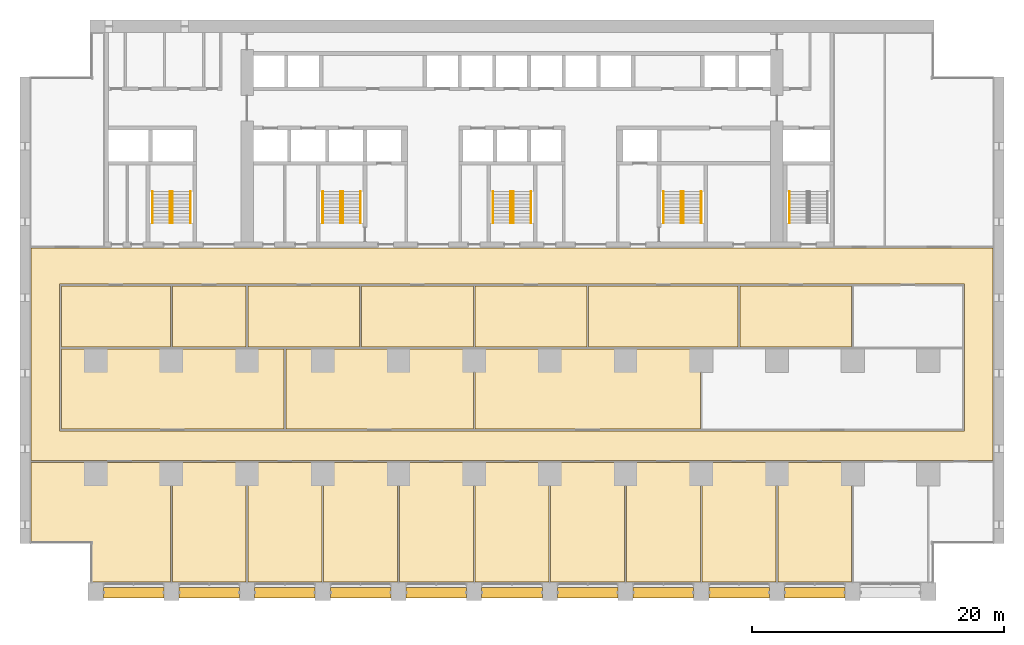
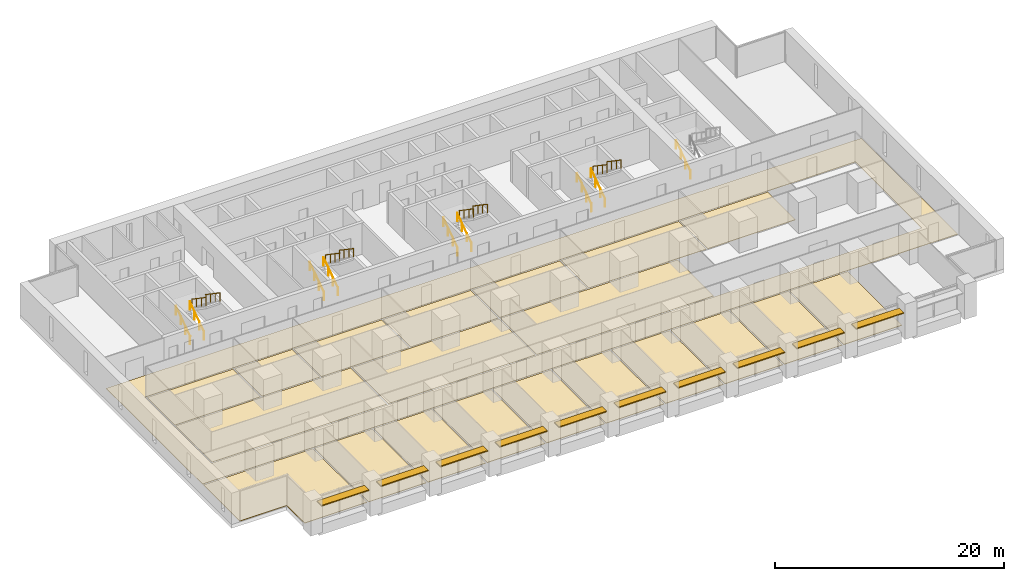
# One storey, part 17 of 18: 21 coverings, 17 railings, 10 shading devices, 5 elements without a shape of their own.
"""IFC4 building model written with IfcOpenShell, lengths in metres."""

from ifc_helpers import new_model, si_unit, direction, frame, origin, origin_2d, place, context, subcontext, project, spatial, polyline, rectangle, circle, outline, extrude, material, layer, layer_set, material_profile, profile_set, type_object, element, aggregate, save


model = new_model("IFC4")

# Units and contexts
model_context = context("Model", 3, precision=1e-05, world=origin(), true_north=direction((0.0, 1.0)))
body_context = subcontext(model_context, "Body", "Model", "MODEL_VIEW")
ifc_project = project(units=[si_unit("LENGTHUNIT", "METRE"), si_unit("AREAUNIT", "SQUARE_METRE"), si_unit("VOLUMEUNIT", "CUBIC_METRE"), si_unit("PLANEANGLEUNIT", "RADIAN"), si_unit("MASSUNIT", "GRAM", prefix="KILO")], contexts=[model_context])

# Site, building, storey
site_placement = place(None, origin())
site = spatial("IfcSite", under=ifc_project, at=site_placement, CompositionType="ELEMENT")
building_placement = place(site_placement, origin())
building = spatial("IfcBuilding", under=site, at=building_placement, Name="Calvaro Tower", CompositionType="ELEMENT")
storey_placement = place(building_placement, frame((0.0, 0.0, 26.25)))
storey = spatial("IfcBuildingStorey", under=building, at=storey_placement, Name="L05", CompositionType="ELEMENT", Elevation=26.25)

# Shading devices
ifc_material_1 = material(Name="Anodised aluminium", Category="aluminium")
ifc_material_profile = material_profile(ifc_material_1, rectangle(XDim=0.800048828125, YDim=0.10009765625, at=origin_2d()), Name="Brise-soleil blade 800 x 100")
ifc_profile_set = profile_set([ifc_material_profile], Name="Anodised aluminium")
shading_device_type = type_object("IfcShadingDeviceType", Name="Brise-soleil blade 800 x 100", PredefinedType="JALOUSIE", material=ifc_profile_set)
for number, where, z_axis, x_axis, name in (
    (1, (6.60009765625, 0.60009765625, 2.300048828125), (1.0, 0.0, 0.0), (0.0, 1.0, 0.0), "Brise-soleil blade 1"),
    (2, (12.60009765625, 0.60009765625, 2.300048828125), (1.0, 0.0, 0.0), (0.0, 1.0, 0.0), "Brise-soleil blade 2"),
    (3, (18.60009765625, 0.60009765625, 2.300048828125), (1.0, 0.0, 0.0), (0.0, 1.0, 0.0), "Brise-soleil blade 3"),
    (4, (24.60009765625, 0.60009765625, 2.300048828125), (1.0, 0.0, 0.0), (0.0, 1.0, 0.0), "Brise-soleil blade 4"),
    (5, (30.60009765625, 0.60009765625, 2.300048828125), (1.0, 0.0, 0.0), (0.0, 1.0, 0.0), "Brise-soleil blade 5"),
    (6, (36.60009765625, 0.60009765625, 2.300048828125), (1.0, 0.0, 0.0), (0.0, 1.0, 0.0), "Brise-soleil blade 6"),
    (7, (42.60009765625, 0.60009765625, 2.300048828125), (1.0, 0.0, 0.0), (0.0, 1.0, 0.0), "Brise-soleil blade 7"),
    (8, (48.60009765625, 0.60009765625, 2.300048828125), (1.0, 0.0, 0.0), (0.0, 1.0, 0.0), "Brise-soleil blade 8"),
    (9, (54.60009765625, 0.60009765625, 2.300048828125), (1.0, 0.0, 0.0), (0.0, 1.0, 0.0), "Brise-soleil blade 9"),
    (10, (60.60009765625, 0.60009765625, 2.300048828125), (1.0, 0.0, 0.0), (0.0, 1.0, 0.0), "Brise-soleil blade 10"),
):
    element("IfcShadingDevice", number, at=place(storey_placement, frame(where, z_axis=z_axis, x_axis=x_axis)), inside=storey, type_object=shading_device_type, Name=name, PredefinedType="JALOUSIE", context=body_context, shape_type="SweptSolid", body=[
        extrude(rectangle(XDim=0.800048828125, YDim=0.10009765625, at=origin_2d()), origin(), (0.0, 0.0, 1.0), 4.7998046875),
    ])

# Coverings
ifc_material_2 = material(Name="Cement screed with carpet tile finish")
ifc_layer = layer(ifc_material_2, 0.050048828125)
ifc_layer_set = layer_set([ifc_layer], Name="Cement screed with carpet tile finish")
covering_type = type_object("IfcCoveringType", Name="Floor finish 50", PredefinedType="FLOORING", material=ifc_layer_set)
covering_1_placement = place(storey_placement, origin())
element("IfcCovering", 11, at=covering_1_placement, inside=storey, type_object=covering_type, Name="Floor finish 07.01", PredefinedType="FLOORING", context=body_context, shape_type="SweptSolid", body=[
    extrude(outline(polyline([(0.8701171875, 11.070068359375), (0.8701171875, 27.929931640625), (77.1298828125, 27.929931640625), (77.1298828125, 11.070068359375), (0.8701171875, 11.070068359375)]), holes=[polyline([(74.8701171875, 13.429931640625), (74.8701171875, 25.070068359375), (3.1298828125, 25.070068359375), (3.1298828125, 13.429931640625), (74.8701171875, 13.429931640625)])]), origin(), (0.0, 0.0, 1.0), 0.050048828125),
])
covering_2_placement = place(storey_placement, origin())
element("IfcCovering", 12, at=covering_2_placement, inside=storey, type_object=covering_type, Name="Floor finish 07.12", PredefinedType="FLOORING", context=body_context, shape_type="SweptSolid", body=[
    extrude(outline(polyline([(11.929931640625, 10.929931640625), (11.929931640625, 1.469970703125), (5.6201171875, 1.469970703125), (5.6201171875, 4.570068359375), (0.8701171875, 4.570068359375), (0.8701171875, 10.929931640625), (11.929931640625, 10.929931640625)])), origin(), (0.0, 0.0, 1.0), 0.050048828125),
])
covering_3_placement = place(storey_placement, origin())
element("IfcCovering", 13, at=covering_3_placement, inside=storey, type_object=covering_type, Name="Floor finish 07.02", PredefinedType="FLOORING", context=body_context, shape_type="SweptSolid", body=[
    extrude(outline(polyline([(12.070068359375, 10.929931640625), (17.929931640625, 10.929931640625), (17.929931640625, 1.469970703125), (12.070068359375, 1.469970703125), (12.070068359375, 10.929931640625)])), origin(), (0.0, 0.0, 1.0), 0.050048828125),
])
covering_4_placement = place(storey_placement, origin())
element("IfcCovering", 14, at=covering_4_placement, inside=storey, type_object=covering_type, Name="Floor finish 07.03", PredefinedType="FLOORING", context=body_context, shape_type="SweptSolid", body=[
    extrude(outline(polyline([(18.070068359375, 10.929931640625), (23.929931640625, 10.929931640625), (23.929931640625, 1.469970703125), (18.070068359375, 1.469970703125), (18.070068359375, 10.929931640625)])), origin(), (0.0, 0.0, 1.0), 0.050048828125),
])
covering_5_placement = place(storey_placement, origin())
element("IfcCovering", 15, at=covering_5_placement, inside=storey, type_object=covering_type, Name="Floor finish 07.04", PredefinedType="FLOORING", context=body_context, shape_type="SweptSolid", body=[
    extrude(outline(polyline([(24.070068359375, 10.929931640625), (29.929931640625, 10.929931640625), (29.929931640625, 1.469970703125), (24.070068359375, 1.469970703125), (24.070068359375, 10.929931640625)])), origin(), (0.0, 0.0, 1.0), 0.050048828125),
])
covering_6_placement = place(storey_placement, origin())
element("IfcCovering", 16, at=covering_6_placement, inside=storey, type_object=covering_type, Name="Floor finish 07.05", PredefinedType="FLOORING", context=body_context, shape_type="SweptSolid", body=[
    extrude(outline(polyline([(30.070068359375, 10.929931640625), (35.929931640625, 10.929931640625), (35.929931640625, 1.469970703125), (30.070068359375, 1.469970703125), (30.070068359375, 10.929931640625)])), origin(), (0.0, 0.0, 1.0), 0.050048828125),
])
covering_7_placement = place(storey_placement, origin())
element("IfcCovering", 17, at=covering_7_placement, inside=storey, type_object=covering_type, Name="Floor finish 07.06", PredefinedType="FLOORING", context=body_context, shape_type="SweptSolid", body=[
    extrude(outline(polyline([(36.070068359375, 10.929931640625), (41.929931640625, 10.929931640625), (41.929931640625, 1.469970703125), (36.070068359375, 1.469970703125), (36.070068359375, 10.929931640625)])), origin(), (0.0, 0.0, 1.0), 0.050048828125),
])
covering_8_placement = place(storey_placement, origin())
element("IfcCovering", 18, at=covering_8_placement, inside=storey, type_object=covering_type, Name="Floor finish 07.07", PredefinedType="FLOORING", context=body_context, shape_type="SweptSolid", body=[
    extrude(outline(polyline([(42.070068359375, 10.929931640625), (47.929931640625, 10.929931640625), (47.929931640625, 1.469970703125), (42.070068359375, 1.469970703125), (42.070068359375, 10.929931640625)])), origin(), (0.0, 0.0, 1.0), 0.050048828125),
])
covering_9_placement = place(storey_placement, origin())
element("IfcCovering", 19, at=covering_9_placement, inside=storey, type_object=covering_type, Name="Floor finish 07.08", PredefinedType="FLOORING", context=body_context, shape_type="SweptSolid", body=[
    extrude(outline(polyline([(48.070068359375, 10.929931640625), (53.929931640625, 10.929931640625), (53.929931640625, 1.469970703125), (48.070068359375, 1.469970703125), (48.070068359375, 10.929931640625)])), origin(), (0.0, 0.0, 1.0), 0.050048828125),
])
covering_10_placement = place(storey_placement, origin())
element("IfcCovering", 20, at=covering_10_placement, inside=storey, type_object=covering_type, Name="Floor finish 07.09", PredefinedType="FLOORING", context=body_context, shape_type="SweptSolid", body=[
    extrude(outline(polyline([(54.070068359375, 10.929931640625), (59.929931640625, 10.929931640625), (59.929931640625, 1.469970703125), (54.070068359375, 1.469970703125), (54.070068359375, 10.929931640625)])), origin(), (0.0, 0.0, 1.0), 0.050048828125),
])
covering_11_placement = place(storey_placement, origin())
element("IfcCovering", 21, at=covering_11_placement, inside=storey, type_object=covering_type, Name="Floor finish 07.10", PredefinedType="FLOORING", context=body_context, shape_type="SweptSolid", body=[
    extrude(outline(polyline([(60.070068359375, 10.929931640625), (65.929931640625, 10.929931640625), (65.929931640625, 1.469970703125), (60.070068359375, 1.469970703125), (60.070068359375, 10.929931640625)])), origin(), (0.0, 0.0, 1.0), 0.050048828125),
])
covering_12_placement = place(storey_placement, origin())
element("IfcCovering", 22, at=covering_12_placement, inside=storey, type_object=covering_type, Name="Floor finish 07.14", PredefinedType="FLOORING", context=body_context, shape_type="SweptSolid", body=[
    extrude(outline(polyline([(3.27001953125, 13.570068359375), (3.27001953125, 19.929931640625), (20.929931640625, 19.929931640625), (20.929931640625, 13.570068359375), (3.27001953125, 13.570068359375)])), origin(), (0.0, 0.0, 1.0), 0.050048828125),
])
covering_13_placement = place(storey_placement, origin())
element("IfcCovering", 23, at=covering_13_placement, inside=storey, type_object=covering_type, Name="Floor finish 07.15", PredefinedType="FLOORING", context=body_context, shape_type="SweptSolid", body=[
    extrude(outline(polyline([(21.070068359375, 13.570068359375), (21.070068359375, 19.929931640625), (35.929931640625, 19.929931640625), (35.929931640625, 13.570068359375), (21.070068359375, 13.570068359375)])), origin(), (0.0, 0.0, 1.0), 0.050048828125),
])
covering_14_placement = place(storey_placement, origin())
element("IfcCovering", 24, at=covering_14_placement, inside=storey, type_object=covering_type, Name="Floor finish 07.16", PredefinedType="FLOORING", context=body_context, shape_type="SweptSolid", body=[
    extrude(outline(polyline([(36.070068359375, 13.570068359375), (36.070068359375, 19.929931640625), (53.929931640625, 19.929931640625), (53.929931640625, 13.570068359375), (36.070068359375, 13.570068359375)])), origin(), (0.0, 0.0, 1.0), 0.050048828125),
])
covering_15_placement = place(storey_placement, origin())
element("IfcCovering", 25, at=covering_15_placement, inside=storey, type_object=covering_type, Name="Floor finish 07.18", PredefinedType="FLOORING", context=body_context, shape_type="SweptSolid", body=[
    extrude(outline(polyline([(3.27001953125, 20.070068359375), (3.27001953125, 24.929931640625), (11.929931640625, 24.929931640625), (11.929931640625, 20.070068359375), (3.27001953125, 20.070068359375)])), origin(), (0.0, 0.0, 1.0), 0.050048828125),
])
covering_16_placement = place(storey_placement, origin())
element("IfcCovering", 26, at=covering_16_placement, inside=storey, type_object=covering_type, Name="Floor finish 07.19", PredefinedType="FLOORING", context=body_context, shape_type="SweptSolid", body=[
    extrude(outline(polyline([(12.070068359375, 20.070068359375), (12.070068359375, 24.929931640625), (17.929931640625, 24.929931640625), (17.929931640625, 20.070068359375), (12.070068359375, 20.070068359375)])), origin(), (0.0, 0.0, 1.0), 0.050048828125),
])
covering_17_placement = place(storey_placement, origin())
element("IfcCovering", 27, at=covering_17_placement, inside=storey, type_object=covering_type, Name="Floor finish 07.20", PredefinedType="FLOORING", context=body_context, shape_type="SweptSolid", body=[
    extrude(outline(polyline([(18.070068359375, 20.070068359375), (18.070068359375, 24.929931640625), (26.929931640625, 24.929931640625), (26.929931640625, 20.070068359375), (18.070068359375, 20.070068359375)])), origin(), (0.0, 0.0, 1.0), 0.050048828125),
])
covering_18_placement = place(storey_placement, origin())
element("IfcCovering", 28, at=covering_18_placement, inside=storey, type_object=covering_type, Name="Floor finish 07.21", PredefinedType="FLOORING", context=body_context, shape_type="SweptSolid", body=[
    extrude(outline(polyline([(27.070068359375, 20.070068359375), (27.070068359375, 24.929931640625), (35.929931640625, 24.929931640625), (35.929931640625, 20.070068359375), (27.070068359375, 20.070068359375)])), origin(), (0.0, 0.0, 1.0), 0.050048828125),
])
covering_19_placement = place(storey_placement, origin())
element("IfcCovering", 29, at=covering_19_placement, inside=storey, type_object=covering_type, Name="Floor finish 07.22", PredefinedType="FLOORING", context=body_context, shape_type="SweptSolid", body=[
    extrude(outline(polyline([(36.070068359375, 20.070068359375), (36.070068359375, 24.929931640625), (44.929931640625, 24.929931640625), (44.929931640625, 20.070068359375), (36.070068359375, 20.070068359375)])), origin(), (0.0, 0.0, 1.0), 0.050048828125),
])
covering_20_placement = place(storey_placement, origin())
element("IfcCovering", 30, at=covering_20_placement, inside=storey, type_object=covering_type, Name="Floor finish 07.23", PredefinedType="FLOORING", context=body_context, shape_type="SweptSolid", body=[
    extrude(outline(polyline([(45.070068359375, 20.070068359375), (45.070068359375, 24.929931640625), (56.929931640625, 24.929931640625), (56.929931640625, 20.070068359375), (45.070068359375, 20.070068359375)])), origin(), (0.0, 0.0, 1.0), 0.050048828125),
])
covering_21_placement = place(storey_placement, origin())
element("IfcCovering", 31, at=covering_21_placement, inside=storey, type_object=covering_type, Name="Floor finish 07.24", PredefinedType="FLOORING", context=body_context, shape_type="SweptSolid", body=[
    extrude(outline(polyline([(57.070068359375, 20.070068359375), (57.070068359375, 24.929931640625), (65.929931640625, 24.929931640625), (65.929931640625, 20.070068359375), (57.070068359375, 20.070068359375)])), origin(), (0.0, 0.0, 1.0), 0.050048828125),
])

# Stair, railings
ifc_material_3 = material(Name="Concrete C40/50", Category="concrete")
stair_type = type_object("IfcStairType", Name="Exit stair 1400 2 flights", PredefinedType="HALF_TURN_STAIR", material=ifc_material_3)
stair_1_placement = place(storey_placement, origin())
stair_1 = element("IfcStair", 32, at=stair_1_placement, inside=storey, type_object=stair_type, Name="Exit stair S1", PredefinedType="HALF_TURN_STAIR")
ifc_material_4 = material(Name="Stainless steel", Category="steel")
railing_type = type_object("IfcRailingType", Name="Stair handrail", PredefinedType="HANDRAIL", material=ifc_material_4)
railing_1_placement = place(storey_placement, frame((11.89990234375, 29.89990234375, 0.17041015625)))
railing_1 = element("IfcRailing", 33, at=railing_1_placement, type_object=railing_type, Name="Exit stair 1 handrail", PredefinedType="HANDRAIL", context=body_context, shape_type="SweptSolid", body=[
    extrude(circle(Radius=0.02392578125, at=origin_2d()), frame((0.0, 0.0, 0.8759765625), z_axis=(0.0, 0.826220514629, 0.563346839174), x_axis=(-1.0, 0.0, 0.0)), (0.0, 0.0, 1.0), 3.02587890625),
    extrude(circle(Radius=0.02099609375, at=origin_2d()), frame((0.0, 0.017333984375, 0.01171875)), (0.0, 0.0, 1.0), 0.851806640625),
    extrude(circle(Radius=0.02099609375, at=origin_2d()), frame((0.0, 0.833251953125, 0.568115234375)), (0.0, 0.0, 1.0), 0.851806640625),
    extrude(circle(Radius=0.02099609375, at=origin_2d()), frame((0.0, 1.666748046875, 1.136474609375)), (0.0, 0.0, 1.0), 0.851806640625),
    extrude(circle(Radius=0.02099609375, at=origin_2d()), frame((0.0, 2.482666015625, 1.69287109375)), (0.0, 0.0, 1.0), 0.851806640625),
])
railing_2_placement = place(storey_placement, frame((10.5, 29.89990234375, 0.17041015625)))
railing_2 = element("IfcRailing", 34, at=railing_2_placement, type_object=railing_type, Name="Exit stair 1 handrail", PredefinedType="HANDRAIL", context=body_context, shape_type="SweptSolid", body=[
    extrude(circle(Radius=0.02392578125, at=origin_2d()), frame((0.0, 0.0, 0.8759765625), z_axis=(0.0, 0.826220514629, 0.563346839174), x_axis=(-1.0, 0.0, 0.0)), (0.0, 0.0, 1.0), 3.02587890625),
    extrude(circle(Radius=0.02099609375, at=origin_2d()), frame((0.0, 0.017333984375, 0.01171875)), (0.0, 0.0, 1.0), 0.851806640625),
    extrude(circle(Radius=0.02099609375, at=origin_2d()), frame((0.0, 0.833251953125, 0.568115234375)), (0.0, 0.0, 1.0), 0.851806640625),
    extrude(circle(Radius=0.02099609375, at=origin_2d()), frame((0.0, 1.666748046875, 1.136474609375)), (0.0, 0.0, 1.0), 0.851806640625),
    extrude(circle(Radius=0.02099609375, at=origin_2d()), frame((0.0, 2.482666015625, 1.69287109375)), (0.0, 0.0, 1.0), 0.851806640625),
])
railing_3_placement = place(storey_placement, frame((12.10009765625, 32.39990234375, 2.04541015625)))
railing_3 = element("IfcRailing", 35, at=railing_3_placement, type_object=railing_type, Name="Exit stair 1 handrail", PredefinedType="HANDRAIL", context=body_context, shape_type="SweptSolid", body=[
    extrude(circle(Radius=0.02392578125, at=origin_2d()), frame((0.0, 0.0, 0.8759765625), z_axis=(0.0, -0.826220514629, 0.563346839174), x_axis=(1.0, 0.0, 0.0)), (0.0, 0.0, 1.0), 3.02587890625),
    extrude(circle(Radius=0.02099609375, at=origin_2d()), frame((0.0, -0.017333984375, 0.01171875)), (0.0, 0.0, 1.0), 0.851806640625),
    extrude(circle(Radius=0.02099609375, at=origin_2d()), frame((0.0, -0.833251953125, 0.568115234375)), (0.0, 0.0, 1.0), 0.851806640625),
    extrude(circle(Radius=0.02099609375, at=origin_2d()), frame((0.0, -1.666748046875, 1.136474609375)), (0.0, 0.0, 1.0), 0.851806640625),
    extrude(circle(Radius=0.02099609375, at=origin_2d()), frame((0.0, -2.482666015625, 1.69287109375)), (0.0, 0.0, 1.0), 0.851806640625),
])
railing_4_placement = place(storey_placement, frame((13.5, 32.39990234375, 2.04541015625)))
railing_4 = element("IfcRailing", 36, at=railing_4_placement, type_object=railing_type, Name="Exit stair 1 handrail", PredefinedType="HANDRAIL", context=body_context, shape_type="SweptSolid", body=[
    extrude(circle(Radius=0.02392578125, at=origin_2d()), frame((0.0, 0.0, 0.8759765625), z_axis=(0.0, -0.826220514629, 0.563346839174), x_axis=(1.0, 0.0, 0.0)), (0.0, 0.0, 1.0), 3.02587890625),
    extrude(circle(Radius=0.02099609375, at=origin_2d()), frame((0.0, -0.017333984375, 0.01171875)), (0.0, 0.0, 1.0), 0.851806640625),
    extrude(circle(Radius=0.02099609375, at=origin_2d()), frame((0.0, -0.833251953125, 0.568115234375)), (0.0, 0.0, 1.0), 0.851806640625),
    extrude(circle(Radius=0.02099609375, at=origin_2d()), frame((0.0, -1.666748046875, 1.136474609375)), (0.0, 0.0, 1.0), 0.851806640625),
    extrude(circle(Radius=0.02099609375, at=origin_2d()), frame((0.0, -2.482666015625, 1.69287109375)), (0.0, 0.0, 1.0), 0.851806640625),
])
aggregate(stair_1, [railing_1, railing_2, railing_3, railing_4])

stair_2_placement = place(storey_placement, origin())
stair_2 = element("IfcStair", 37, at=stair_2_placement, inside=storey, type_object=stair_type, Name="Exit stair S2", PredefinedType="HALF_TURN_STAIR")
railing_5_placement = place(storey_placement, frame((25.39990234375, 29.89990234375, 0.17041015625)))
railing_5 = element("IfcRailing", 38, at=railing_5_placement, type_object=railing_type, Name="Exit stair 2 handrail", PredefinedType="HANDRAIL", context=body_context, shape_type="SweptSolid", body=[
    extrude(circle(Radius=0.02392578125, at=origin_2d()), frame((0.0, 0.0, 0.8759765625), z_axis=(0.0, 0.826220514629, 0.563346839174), x_axis=(-1.0, 0.0, 0.0)), (0.0, 0.0, 1.0), 3.02587890625),
    extrude(circle(Radius=0.02099609375, at=origin_2d()), frame((0.0, 0.017333984375, 0.01171875)), (0.0, 0.0, 1.0), 0.851806640625),
    extrude(circle(Radius=0.02099609375, at=origin_2d()), frame((0.0, 0.833251953125, 0.568115234375)), (0.0, 0.0, 1.0), 0.851806640625),
    extrude(circle(Radius=0.02099609375, at=origin_2d()), frame((0.0, 1.666748046875, 1.136474609375)), (0.0, 0.0, 1.0), 0.851806640625),
    extrude(circle(Radius=0.02099609375, at=origin_2d()), frame((0.0, 2.482666015625, 1.69287109375)), (0.0, 0.0, 1.0), 0.851806640625),
])
railing_6_placement = place(storey_placement, frame((24.0, 29.89990234375, 0.17041015625)))
railing_6 = element("IfcRailing", 39, at=railing_6_placement, type_object=railing_type, Name="Exit stair 2 handrail", PredefinedType="HANDRAIL", context=body_context, shape_type="SweptSolid", body=[
    extrude(circle(Radius=0.02392578125, at=origin_2d()), frame((0.0, 0.0, 0.8759765625), z_axis=(0.0, 0.826220514629, 0.563346839174), x_axis=(-1.0, 0.0, 0.0)), (0.0, 0.0, 1.0), 3.02587890625),
    extrude(circle(Radius=0.02099609375, at=origin_2d()), frame((0.0, 0.017333984375, 0.01171875)), (0.0, 0.0, 1.0), 0.851806640625),
    extrude(circle(Radius=0.02099609375, at=origin_2d()), frame((0.0, 0.833251953125, 0.568115234375)), (0.0, 0.0, 1.0), 0.851806640625),
    extrude(circle(Radius=0.02099609375, at=origin_2d()), frame((0.0, 1.666748046875, 1.136474609375)), (0.0, 0.0, 1.0), 0.851806640625),
    extrude(circle(Radius=0.02099609375, at=origin_2d()), frame((0.0, 2.482666015625, 1.69287109375)), (0.0, 0.0, 1.0), 0.851806640625),
])
railing_7_placement = place(storey_placement, frame((25.60009765625, 32.39990234375, 2.04541015625)))
railing_7 = element("IfcRailing", 40, at=railing_7_placement, type_object=railing_type, Name="Exit stair 2 handrail", PredefinedType="HANDRAIL", context=body_context, shape_type="SweptSolid", body=[
    extrude(circle(Radius=0.02392578125, at=origin_2d()), frame((0.0, 0.0, 0.8759765625), z_axis=(0.0, -0.826220514629, 0.563346839174), x_axis=(1.0, 0.0, 0.0)), (0.0, 0.0, 1.0), 3.02587890625),
    extrude(circle(Radius=0.02099609375, at=origin_2d()), frame((0.0, -0.017333984375, 0.01171875)), (0.0, 0.0, 1.0), 0.851806640625),
    extrude(circle(Radius=0.02099609375, at=origin_2d()), frame((0.0, -0.833251953125, 0.568115234375)), (0.0, 0.0, 1.0), 0.851806640625),
    extrude(circle(Radius=0.02099609375, at=origin_2d()), frame((0.0, -1.666748046875, 1.136474609375)), (0.0, 0.0, 1.0), 0.851806640625),
    extrude(circle(Radius=0.02099609375, at=origin_2d()), frame((0.0, -2.482666015625, 1.69287109375)), (0.0, 0.0, 1.0), 0.851806640625),
])
railing_8_placement = place(storey_placement, frame((27.0, 32.39990234375, 2.04541015625)))
railing_8 = element("IfcRailing", 41, at=railing_8_placement, type_object=railing_type, Name="Exit stair 2 handrail", PredefinedType="HANDRAIL", context=body_context, shape_type="SweptSolid", body=[
    extrude(circle(Radius=0.02392578125, at=origin_2d()), frame((0.0, 0.0, 0.8759765625), z_axis=(0.0, -0.826220514629, 0.563346839174), x_axis=(1.0, 0.0, 0.0)), (0.0, 0.0, 1.0), 3.02587890625),
    extrude(circle(Radius=0.02099609375, at=origin_2d()), frame((0.0, -0.017333984375, 0.01171875)), (0.0, 0.0, 1.0), 0.851806640625),
    extrude(circle(Radius=0.02099609375, at=origin_2d()), frame((0.0, -0.833251953125, 0.568115234375)), (0.0, 0.0, 1.0), 0.851806640625),
    extrude(circle(Radius=0.02099609375, at=origin_2d()), frame((0.0, -1.666748046875, 1.136474609375)), (0.0, 0.0, 1.0), 0.851806640625),
    extrude(circle(Radius=0.02099609375, at=origin_2d()), frame((0.0, -2.482666015625, 1.69287109375)), (0.0, 0.0, 1.0), 0.851806640625),
])
aggregate(stair_2, [railing_5, railing_6, railing_7, railing_8])

stair_3_placement = place(storey_placement, origin())
stair_3 = element("IfcStair", 42, at=stair_3_placement, inside=storey, type_object=stair_type, Name="Exit stair S3", PredefinedType="HALF_TURN_STAIR")
railing_9_placement = place(storey_placement, frame((38.89990234375, 29.89990234375, 0.17041015625)))
railing_9 = element("IfcRailing", 43, at=railing_9_placement, type_object=railing_type, Name="Exit stair 3 handrail", PredefinedType="HANDRAIL", context=body_context, shape_type="SweptSolid", body=[
    extrude(circle(Radius=0.02392578125, at=origin_2d()), frame((0.0, 0.0, 0.8759765625), z_axis=(0.0, 0.826220514629, 0.563346839174), x_axis=(-1.0, 0.0, 0.0)), (0.0, 0.0, 1.0), 3.02587890625),
    extrude(circle(Radius=0.02099609375, at=origin_2d()), frame((0.0, 0.017333984375, 0.01171875)), (0.0, 0.0, 1.0), 0.851806640625),
    extrude(circle(Radius=0.02099609375, at=origin_2d()), frame((0.0, 0.833251953125, 0.568115234375)), (0.0, 0.0, 1.0), 0.851806640625),
    extrude(circle(Radius=0.02099609375, at=origin_2d()), frame((0.0, 1.666748046875, 1.136474609375)), (0.0, 0.0, 1.0), 0.851806640625),
    extrude(circle(Radius=0.02099609375, at=origin_2d()), frame((0.0, 2.482666015625, 1.69287109375)), (0.0, 0.0, 1.0), 0.851806640625),
])
railing_10_placement = place(storey_placement, frame((37.5, 29.89990234375, 0.17041015625)))
railing_10 = element("IfcRailing", 44, at=railing_10_placement, type_object=railing_type, Name="Exit stair 3 handrail", PredefinedType="HANDRAIL", context=body_context, shape_type="SweptSolid", body=[
    extrude(circle(Radius=0.02392578125, at=origin_2d()), frame((0.0, 0.0, 0.8759765625), z_axis=(0.0, 0.826220514629, 0.563346839174), x_axis=(-1.0, 0.0, 0.0)), (0.0, 0.0, 1.0), 3.02587890625),
    extrude(circle(Radius=0.02099609375, at=origin_2d()), frame((0.0, 0.017333984375, 0.01171875)), (0.0, 0.0, 1.0), 0.851806640625),
    extrude(circle(Radius=0.02099609375, at=origin_2d()), frame((0.0, 0.833251953125, 0.568115234375)), (0.0, 0.0, 1.0), 0.851806640625),
    extrude(circle(Radius=0.02099609375, at=origin_2d()), frame((0.0, 1.666748046875, 1.136474609375)), (0.0, 0.0, 1.0), 0.851806640625),
    extrude(circle(Radius=0.02099609375, at=origin_2d()), frame((0.0, 2.482666015625, 1.69287109375)), (0.0, 0.0, 1.0), 0.851806640625),
])
railing_11_placement = place(storey_placement, frame((39.10009765625, 32.39990234375, 2.04541015625)))
railing_11 = element("IfcRailing", 45, at=railing_11_placement, type_object=railing_type, Name="Exit stair 3 handrail", PredefinedType="HANDRAIL", context=body_context, shape_type="SweptSolid", body=[
    extrude(circle(Radius=0.02392578125, at=origin_2d()), frame((0.0, 0.0, 0.8759765625), z_axis=(0.0, -0.826220514629, 0.563346839174), x_axis=(1.0, 0.0, 0.0)), (0.0, 0.0, 1.0), 3.02587890625),
    extrude(circle(Radius=0.02099609375, at=origin_2d()), frame((0.0, -0.017333984375, 0.01171875)), (0.0, 0.0, 1.0), 0.851806640625),
    extrude(circle(Radius=0.02099609375, at=origin_2d()), frame((0.0, -0.833251953125, 0.568115234375)), (0.0, 0.0, 1.0), 0.851806640625),
    extrude(circle(Radius=0.02099609375, at=origin_2d()), frame((0.0, -1.666748046875, 1.136474609375)), (0.0, 0.0, 1.0), 0.851806640625),
    extrude(circle(Radius=0.02099609375, at=origin_2d()), frame((0.0, -2.482666015625, 1.69287109375)), (0.0, 0.0, 1.0), 0.851806640625),
])
railing_12_placement = place(storey_placement, frame((40.5, 32.39990234375, 2.04541015625)))
railing_12 = element("IfcRailing", 46, at=railing_12_placement, type_object=railing_type, Name="Exit stair 3 handrail", PredefinedType="HANDRAIL", context=body_context, shape_type="SweptSolid", body=[
    extrude(circle(Radius=0.02392578125, at=origin_2d()), frame((0.0, 0.0, 0.8759765625), z_axis=(0.0, -0.826220514629, 0.563346839174), x_axis=(1.0, 0.0, 0.0)), (0.0, 0.0, 1.0), 3.02587890625),
    extrude(circle(Radius=0.02099609375, at=origin_2d()), frame((0.0, -0.017333984375, 0.01171875)), (0.0, 0.0, 1.0), 0.851806640625),
    extrude(circle(Radius=0.02099609375, at=origin_2d()), frame((0.0, -0.833251953125, 0.568115234375)), (0.0, 0.0, 1.0), 0.851806640625),
    extrude(circle(Radius=0.02099609375, at=origin_2d()), frame((0.0, -1.666748046875, 1.136474609375)), (0.0, 0.0, 1.0), 0.851806640625),
    extrude(circle(Radius=0.02099609375, at=origin_2d()), frame((0.0, -2.482666015625, 1.69287109375)), (0.0, 0.0, 1.0), 0.851806640625),
])
aggregate(stair_3, [railing_9, railing_10, railing_11, railing_12])

stair_4_placement = place(storey_placement, origin())
stair_4 = element("IfcStair", 47, at=stair_4_placement, inside=storey, type_object=stair_type, Name="Exit stair S4", PredefinedType="HALF_TURN_STAIR")
railing_13_placement = place(storey_placement, frame((52.39990234375, 29.89990234375, 0.17041015625)))
railing_13 = element("IfcRailing", 48, at=railing_13_placement, type_object=railing_type, Name="Exit stair 4 handrail", PredefinedType="HANDRAIL", context=body_context, shape_type="SweptSolid", body=[
    extrude(circle(Radius=0.02392578125, at=origin_2d()), frame((0.0, 0.0, 0.8759765625), z_axis=(0.0, 0.826220514629, 0.563346839174), x_axis=(-1.0, 0.0, 0.0)), (0.0, 0.0, 1.0), 3.02587890625),
    extrude(circle(Radius=0.02099609375, at=origin_2d()), frame((0.0, 0.017333984375, 0.01171875)), (0.0, 0.0, 1.0), 0.851806640625),
    extrude(circle(Radius=0.02099609375, at=origin_2d()), frame((0.0, 0.833251953125, 0.568115234375)), (0.0, 0.0, 1.0), 0.851806640625),
    extrude(circle(Radius=0.02099609375, at=origin_2d()), frame((0.0, 1.666748046875, 1.136474609375)), (0.0, 0.0, 1.0), 0.851806640625),
    extrude(circle(Radius=0.02099609375, at=origin_2d()), frame((0.0, 2.482666015625, 1.69287109375)), (0.0, 0.0, 1.0), 0.851806640625),
])
railing_14_placement = place(storey_placement, frame((51.0, 29.89990234375, 0.17041015625)))
railing_14 = element("IfcRailing", 49, at=railing_14_placement, type_object=railing_type, Name="Exit stair 4 handrail", PredefinedType="HANDRAIL", context=body_context, shape_type="SweptSolid", body=[
    extrude(circle(Radius=0.02392578125, at=origin_2d()), frame((0.0, 0.0, 0.8759765625), z_axis=(0.0, 0.826220514629, 0.563346839174), x_axis=(-1.0, 0.0, 0.0)), (0.0, 0.0, 1.0), 3.02587890625),
    extrude(circle(Radius=0.02099609375, at=origin_2d()), frame((0.0, 0.017333984375, 0.01171875)), (0.0, 0.0, 1.0), 0.851806640625),
    extrude(circle(Radius=0.02099609375, at=origin_2d()), frame((0.0, 0.833251953125, 0.568115234375)), (0.0, 0.0, 1.0), 0.851806640625),
    extrude(circle(Radius=0.02099609375, at=origin_2d()), frame((0.0, 1.666748046875, 1.136474609375)), (0.0, 0.0, 1.0), 0.851806640625),
    extrude(circle(Radius=0.02099609375, at=origin_2d()), frame((0.0, 2.482666015625, 1.69287109375)), (0.0, 0.0, 1.0), 0.851806640625),
])
railing_15_placement = place(storey_placement, frame((52.60009765625, 32.39990234375, 2.04541015625)))
railing_15 = element("IfcRailing", 50, at=railing_15_placement, type_object=railing_type, Name="Exit stair 4 handrail", PredefinedType="HANDRAIL", context=body_context, shape_type="SweptSolid", body=[
    extrude(circle(Radius=0.02392578125, at=origin_2d()), frame((0.0, 0.0, 0.8759765625), z_axis=(0.0, -0.826220514629, 0.563346839174), x_axis=(1.0, 0.0, 0.0)), (0.0, 0.0, 1.0), 3.02587890625),
    extrude(circle(Radius=0.02099609375, at=origin_2d()), frame((0.0, -0.017333984375, 0.01171875)), (0.0, 0.0, 1.0), 0.851806640625),
    extrude(circle(Radius=0.02099609375, at=origin_2d()), frame((0.0, -0.833251953125, 0.568115234375)), (0.0, 0.0, 1.0), 0.851806640625),
    extrude(circle(Radius=0.02099609375, at=origin_2d()), frame((0.0, -1.666748046875, 1.136474609375)), (0.0, 0.0, 1.0), 0.851806640625),
    extrude(circle(Radius=0.02099609375, at=origin_2d()), frame((0.0, -2.482666015625, 1.69287109375)), (0.0, 0.0, 1.0), 0.851806640625),
])
railing_16_placement = place(storey_placement, frame((54.0, 32.39990234375, 2.04541015625)))
railing_16 = element("IfcRailing", 51, at=railing_16_placement, type_object=railing_type, Name="Exit stair 4 handrail", PredefinedType="HANDRAIL", context=body_context, shape_type="SweptSolid", body=[
    extrude(circle(Radius=0.02392578125, at=origin_2d()), frame((0.0, 0.0, 0.8759765625), z_axis=(0.0, -0.826220514629, 0.563346839174), x_axis=(1.0, 0.0, 0.0)), (0.0, 0.0, 1.0), 3.02587890625),
    extrude(circle(Radius=0.02099609375, at=origin_2d()), frame((0.0, -0.017333984375, 0.01171875)), (0.0, 0.0, 1.0), 0.851806640625),
    extrude(circle(Radius=0.02099609375, at=origin_2d()), frame((0.0, -0.833251953125, 0.568115234375)), (0.0, 0.0, 1.0), 0.851806640625),
    extrude(circle(Radius=0.02099609375, at=origin_2d()), frame((0.0, -1.666748046875, 1.136474609375)), (0.0, 0.0, 1.0), 0.851806640625),
    extrude(circle(Radius=0.02099609375, at=origin_2d()), frame((0.0, -2.482666015625, 1.69287109375)), (0.0, 0.0, 1.0), 0.851806640625),
])
aggregate(stair_4, [railing_13, railing_14, railing_15, railing_16])

# Stair, railing
stair_5_placement = place(storey_placement, origin())
stair_5 = element("IfcStair", 52, at=stair_5_placement, inside=storey, type_object=stair_type, Name="Exit stair S5", PredefinedType="HALF_TURN_STAIR")
railing_17_placement = place(storey_placement, frame((61.0, 29.89990234375, 0.17041015625)))
railing_17 = element("IfcRailing", 53, at=railing_17_placement, type_object=railing_type, Name="Exit stair 5 handrail", PredefinedType="HANDRAIL", context=body_context, shape_type="SweptSolid", body=[
    extrude(circle(Radius=0.02392578125, at=origin_2d()), frame((0.0, 0.0, 0.8759765625), z_axis=(0.0, 0.826220514629, 0.563346839174), x_axis=(-1.0, 0.0, 0.0)), (0.0, 0.0, 1.0), 3.02587890625),
    extrude(circle(Radius=0.02099609375, at=origin_2d()), frame((0.0, 0.017333984375, 0.01171875)), (0.0, 0.0, 1.0), 0.851806640625),
    extrude(circle(Radius=0.02099609375, at=origin_2d()), frame((0.0, 0.833251953125, 0.568115234375)), (0.0, 0.0, 1.0), 0.851806640625),
    extrude(circle(Radius=0.02099609375, at=origin_2d()), frame((0.0, 1.666748046875, 1.136474609375)), (0.0, 0.0, 1.0), 0.851806640625),
    extrude(circle(Radius=0.02099609375, at=origin_2d()), frame((0.0, 2.482666015625, 1.69287109375)), (0.0, 0.0, 1.0), 0.851806640625),
])
aggregate(stair_5, [railing_17])

save(model, "model.ifc")
